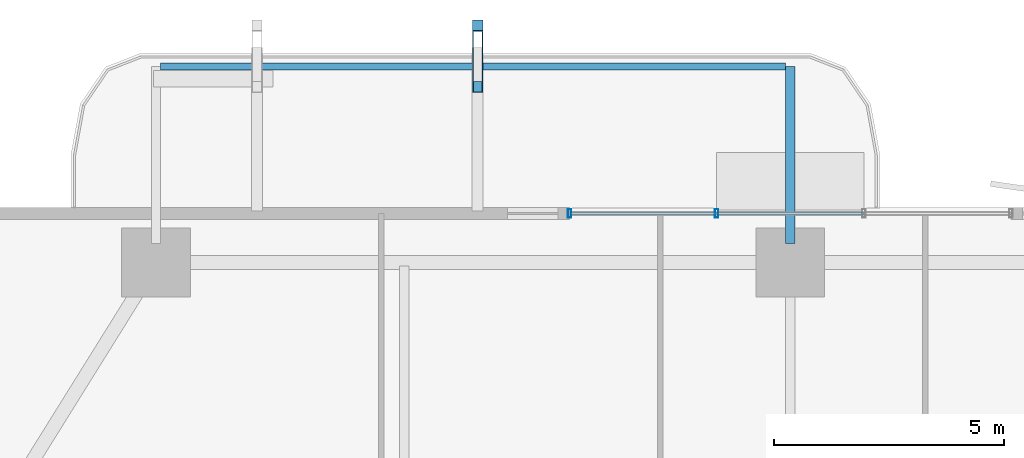
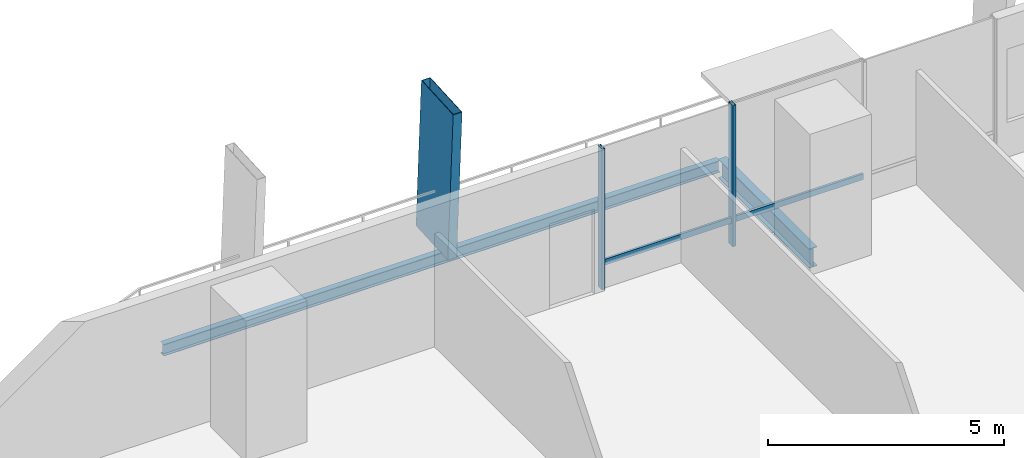
# One storey, part 11 of 24: 5 members, 2 beams, 1 element without a shape of its own.
"""IFC4 building model written with IfcOpenShell, lengths in metres."""

from ifc_helpers import new_model, si_unit, direction, frame, origin, origin_2d, place, context, subcontext, project, spatial, hollow_rectangle, i_section, extrude, material, layer, layer_set, material_profile, profile_set, type_object, element, aggregate, save


model = new_model("IFC4")

# Units and contexts
model_context = context("Model", 3, precision=1e-05, world=origin(), true_north=direction((0.0, 1.0)))
body_context = subcontext(model_context, "Body", "Model", "MODEL_VIEW")
ifc_project = project(units=[si_unit("LENGTHUNIT", "METRE"), si_unit("AREAUNIT", "SQUARE_METRE"), si_unit("VOLUMEUNIT", "CUBIC_METRE"), si_unit("PLANEANGLEUNIT", "RADIAN"), si_unit("MASSUNIT", "GRAM", prefix="KILO")], contexts=[model_context])

# Site, building, storey
site_placement = place(None, origin())
site = spatial("IfcSite", under=ifc_project, at=site_placement, CompositionType="ELEMENT")
building_placement = place(site_placement, origin())
building = spatial("IfcBuilding", under=site, at=building_placement, Name="Belovzor Exchange Tower", CompositionType="ELEMENT")
storey_placement = place(building_placement, frame((0.0, 0.0, 33.89990234375)))
storey = spatial("IfcBuildingStorey", under=building, at=storey_placement, Name="L07", CompositionType="ELEMENT", Elevation=33.89990234375)

# Member
ifc_material_1 = material(Name="Extruded Architectural Terracotta on Steel S355 Carrier", Category="masonry")
ifc_material_profile_1 = material_profile(ifc_material_1, hollow_rectangle(XDim=0.219970703125, YDim=1.35009765625, WallThickness=0.013916015625, at=origin_2d()))
ifc_profile_set_1 = profile_set([ifc_material_profile_1], Name="Extruded Architectural Terracotta on Steel S355 Carrier")
member_type_1 = type_object("IfcMemberType", Name="Base Arc Sweeping Terracotta Pylon Fin 1450", PredefinedType="USERDEFINED", material=ifc_profile_set_1)
member_1_placement = place(storey_placement, frame((22.0, 60.10400390625, -0.25), z_axis=(0.0, -0.059113970154, 0.998251240186), x_axis=(1.0, 0.0, 0.0)))
element("IfcMember", 1, at=member_1_placement, inside=storey, type_object=member_type_1, Name="FIN-TC145 Terracotta Facade Fin L07 N2", ObjectType="FIN", PredefinedType="USERDEFINED", context=body_context, shape_type="SweptSolid", body=[
    extrude(hollow_rectangle(XDim=0.219970703125, YDim=1.35009765625, WallThickness=0.013916015625, at=origin_2d()), origin(), (0.0, 0.0, 1.0), 3.906982421875),
])

# Beams
ifc_material_2 = material(Name="Steel S355", Category="steel")
ifc_material_profile_2 = material_profile(ifc_material_2, i_section(OverallWidth=0.199951171875, OverallDepth=0.5, WebThickness=0.01025390625, FlangeThickness=0.01611328125, at=origin_2d()))
ifc_profile_set_2 = profile_set([ifc_material_profile_2], Name="Steel S355")
beam_type_1 = type_object("IfcBeamType", Name="Planted Balcony Cantilever Beam IPE 500", PredefinedType="BEAM", material=ifc_profile_set_2)
beam_1_placement = place(storey_placement, frame((28.800048828125, 55.9130859375, -0.5), z_axis=(0.0, 1.0, 0.0), x_axis=(-1.0, 0.0, 0.0)))
element("IfcBeam", 2, at=beam_1_placement, inside=storey, type_object=beam_type_1, Name="BC-500 Planted Balcony Cantilever Beam IPE 500", PredefinedType="BEAM", context=body_context, shape_type="SweptSolid", body=[
    extrude(i_section(OverallWidth=0.199951171875, OverallDepth=0.5, WebThickness=0.01025390625, FlangeThickness=0.01611328125, at=origin_2d()), origin(), (0.0, 0.0, 1.0), 3.849853515625),
])
ifc_material_3 = material(Name="Steel S355", Category="steel")
ifc_material_profile_3 = material_profile(ifc_material_3, i_section(OverallWidth=0.14990234375, OverallDepth=0.300048828125, WebThickness=0.007080078125, FlangeThickness=0.0107421875, at=origin_2d()))
ifc_profile_set_3 = profile_set([ifc_material_profile_3], Name="Steel S355")
beam_type_2 = type_object("IfcBeamType", Name="Planted Balcony Fascia Edge Beam IPE 300", PredefinedType="BEAM", material=ifc_profile_set_3)
beam_2_placement = place(storey_placement, frame((28.699951171875, 59.762939453125, -0.39990234375), z_axis=(-1.0, 0.0, 0.0), x_axis=(0.0, -1.0, 0.0)))
element("IfcBeam", 3, at=beam_2_placement, inside=storey, type_object=beam_type_2, Name="BC-300 Planted Balcony Fascia Edge Beam IPE 300", PredefinedType="BEAM", context=body_context, shape_type="SweptSolid", body=[
    extrude(i_section(OverallWidth=0.14990234375, OverallDepth=0.300048828125, WebThickness=0.007080078125, FlangeThickness=0.0107421875, at=origin_2d()), origin(), (0.0, 0.0, 1.0), 13.599853515625),
])

# Curtain wall, members
ifc_material_4 = material(Name="Anodised Aluminium Framing", Category="aluminium")
ifc_layer = layer(ifc_material_4, 0.179931640625)
ifc_layer_set = layer_set([ifc_layer], Name="Anodised Aluminium Framing")
curtain_wall_type = type_object("IfcCurtainWallType", Name="Recessed Loggia Low-Iron Triple-Glazed Curtain Wall", PredefinedType="NOTDEFINED", material=ifc_layer_set)
curtain_wall_placement = place(storey_placement, origin())
curtain_wall = element("IfcCurtainWall", 4, at=curtain_wall_placement, inside=storey, type_object=curtain_wall_type, Name="CW3 Recessed Loggia Low-Iron Triple-Glazed Curtain Wall L07", PredefinedType="NOTDEFINED")
ifc_material_5 = material(Name="Steel S355", Category="steel")
ifc_material_profile_4 = material_profile(ifc_material_5, hollow_rectangle(XDim=0.074951171875, YDim=0.179931640625, WallThickness=0.0048828125, at=origin_2d()))
ifc_profile_set_4 = profile_set([ifc_material_profile_4], Name="Steel S355")
member_type_2 = type_object("IfcMemberType", Name="Thermally Broken Curtain Wall Mullion 180x75", PredefinedType="MULLION", material=ifc_profile_set_4)
member_2_placement = place(storey_placement, frame((24.0, 56.570068359375, 0.0), z_axis=(0.0, 0.0, 1.0), x_axis=(1.0, 0.0, 0.0)))
member_2 = element("IfcMember", 5, at=member_2_placement, type_object=member_type_2, Name="CW-M180 Curtain Wall Mullion 1", PredefinedType="MULLION", context=body_context, shape_type="SweptSolid", body=[
    extrude(hollow_rectangle(XDim=0.074951171875, YDim=0.179931640625, WallThickness=0.0048828125, at=origin_2d()), origin(), (0.0, 0.0, 1.0), 3.650146484375),
])
member_3_placement = place(storey_placement, frame((27.199951171875, 56.570068359375, 0.0), z_axis=(0.0, 0.0, 1.0), x_axis=(1.0, 0.0, 0.0)))
member_3 = element("IfcMember", 6, at=member_3_placement, type_object=member_type_2, Name="CW-M180 Curtain Wall Mullion 2", PredefinedType="MULLION", context=body_context, shape_type="SweptSolid", body=[
    extrude(hollow_rectangle(XDim=0.074951171875, YDim=0.179931640625, WallThickness=0.0048828125, at=origin_2d()), origin(), (0.0, 0.0, 1.0), 3.650146484375),
])
ifc_material_6 = material(Name="Steel S355", Category="steel")
ifc_material_profile_5 = material_profile(ifc_material_6, hollow_rectangle(XDim=0.06005859375, YDim=0.14990234375, WallThickness=0.00390625, at=origin_2d()))
ifc_profile_set_5 = profile_set([ifc_material_profile_5], Name="Steel S355")
member_type_3 = type_object("IfcMemberType", Name="Thermally Broken Curtain Wall Transom 150x60", PredefinedType="USERDEFINED", material=ifc_profile_set_5)
member_4_placement = place(storey_placement, frame((24.008056640625, 56.570068359375, 0.650146484375), z_axis=(1.0, 0.0, 0.0), x_axis=(0.0, 1.0, 0.0)))
member_4 = element("IfcMember", 7, at=member_4_placement, type_object=member_type_3, Name="CW-T150 Curtain Wall Transom 1", ObjectType="TRANSOM", PredefinedType="USERDEFINED", context=body_context, shape_type="SweptSolid", body=[
    extrude(hollow_rectangle(XDim=0.06005859375, YDim=0.14990234375, WallThickness=0.00390625, at=origin_2d()), origin(), (0.0, 0.0, 1.0), 3.183837890625),
])
member_5_placement = place(storey_placement, frame((27.2080078125, 56.570068359375, 0.650146484375), z_axis=(1.0, 0.0, 0.0), x_axis=(0.0, 1.0, 0.0)))
member_5 = element("IfcMember", 8, at=member_5_placement, type_object=member_type_3, Name="CW-T150 Curtain Wall Transom 2", ObjectType="TRANSOM", PredefinedType="USERDEFINED", context=body_context, shape_type="SweptSolid", body=[
    extrude(hollow_rectangle(XDim=0.06005859375, YDim=0.14990234375, WallThickness=0.00390625, at=origin_2d()), origin(), (0.0, 0.0, 1.0), 3.18408203125),
])
aggregate(curtain_wall, [member_2, member_3, member_4, member_5])

save(model, "model.ifc")
